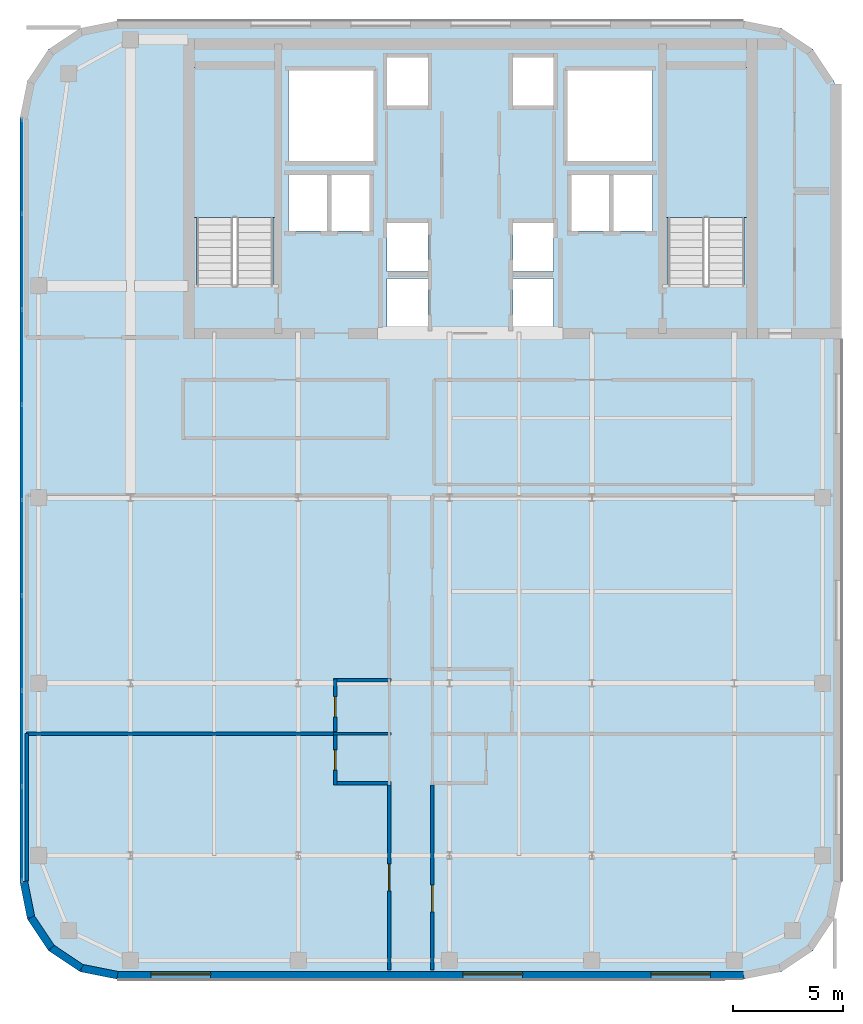
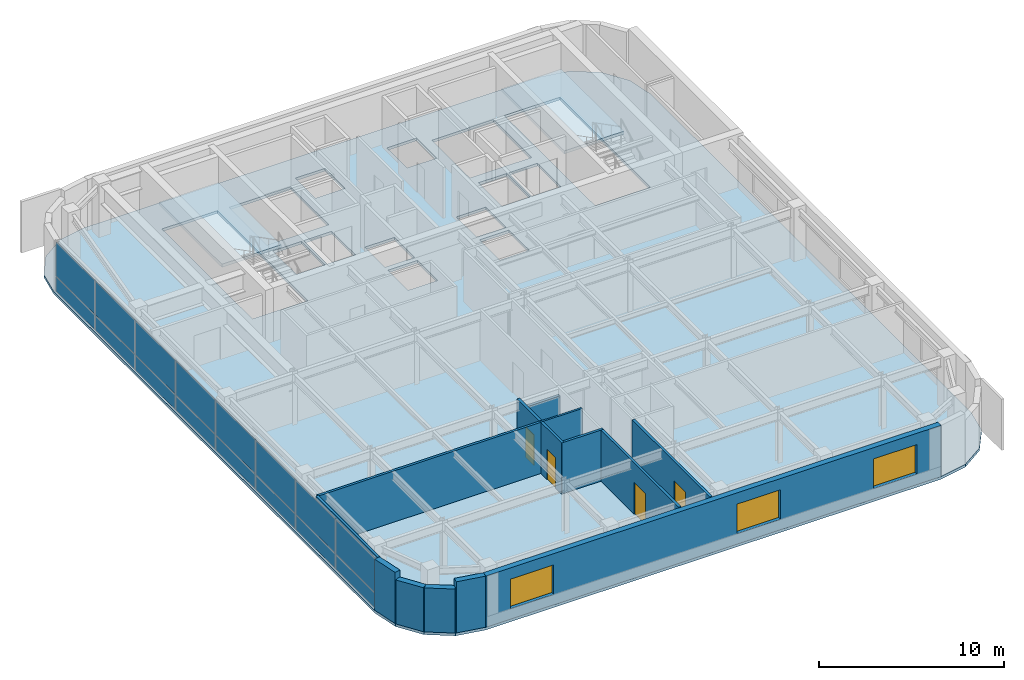
# One storey, part 14 of 21: 16 plates, 14 walls, 4 doors, 3 slabs, 3 windows, 7 openings, 3 elements without a shape of their own.
"""IFC4 building model written with IfcOpenShell, lengths in metres."""

from ifc_helpers import new_model, si_unit, direction, frame, frame_2d, origin, origin_2d, place, context, subcontext, project, spatial, polyline, rectangle, outline, extrude, source, transform, mapped, material, layer, layer_set, type_object, type_shapes, element, fill, aggregate, save


model = new_model("IFC4")

# Units and contexts
model_context = context("Model", 3, precision=1e-05, world=origin(), true_north=direction((0.0, 1.0)))
body_context = subcontext(model_context, "Body", "Model", "MODEL_VIEW")
ifc_project = project(units=[si_unit("LENGTHUNIT", "METRE"), si_unit("AREAUNIT", "SQUARE_METRE"), si_unit("VOLUMEUNIT", "CUBIC_METRE"), si_unit("PLANEANGLEUNIT", "RADIAN"), si_unit("MASSUNIT", "GRAM", prefix="KILO")], contexts=[model_context])

# Site, building, storey
site_placement = place(None, origin())
site = spatial("IfcSite", under=ifc_project, at=site_placement, CompositionType="ELEMENT")
building_placement = place(site_placement, origin())
building = spatial("IfcBuilding", under=site, at=building_placement, Name="Tolvann Quenvar Hotel", CompositionType="ELEMENT")
storey_placement = place(building_placement, frame((0.0, 0.0, 227.449951171875)))
storey = spatial("IfcBuildingStorey", under=building, at=storey_placement, Name="L60", CompositionType="ELEMENT", Elevation=227.449951171875)

# Stair, slab
ifc_material_1 = material(Name="Concrete N40 (40 MPa)", Category="concrete")
stair_type = type_object("IfcStairType", Name="STAIR", PredefinedType="HALF_TURN_STAIR", material=ifc_material_1)
stair_1_placement = place(storey_placement, origin())
stair_1 = element("IfcStair", 1, at=stair_1_placement, inside=storey, type_object=stair_type, Name="L60 ST-C1", PredefinedType="HALF_TURN_STAIR")
ifc_layer_1 = layer(ifc_material_1, 0.199951171875)
ifc_layer_set_1 = layer_set([ifc_layer_1], Name="Concrete N40 (40 MPa)")
slab_type_1 = type_object("IfcSlabType", Name="SLAB_LANDING", PredefinedType="LANDING", material=ifc_layer_set_1)
slab_1_placement = place(storey_placement, frame((0.0, 0.0, 1.574951171875)))
slab_1 = element("IfcSlab", 2, at=slab_1_placement, type_object=slab_type_1, Name="ST-C1 landing 1", PredefinedType="LANDING", context=body_context, shape_type="SweptSolid", body=[
    extrude(outline(polyline([(14.179931640625, 37.10498046875), (14.179931640625, 43.8798828125), (10.469970703125, 43.8798828125), (10.469970703125, 37.10498046875), (14.179931640625, 37.10498046875)])), origin(), (0.0, 0.0, 1.0), 0.2001953125),
])
aggregate(stair_1, [slab_1])

stair_2_placement = place(storey_placement, origin())
stair_2 = element("IfcStair", 3, at=stair_2_placement, inside=storey, type_object=stair_type, Name="L60 ST-C2", PredefinedType="HALF_TURN_STAIR")
slab_2_placement = place(storey_placement, frame((0.0, 0.0, 1.574951171875)))
slab_2 = element("IfcSlab", 4, at=slab_2_placement, type_object=slab_type_1, Name="ST-C2 landing 1", PredefinedType="LANDING", context=body_context, shape_type="SweptSolid", body=[
    extrude(outline(polyline([(35.530029296875, 37.10498046875), (35.530029296875, 43.8798828125), (31.820068359375, 43.8798828125), (31.820068359375, 37.10498046875), (35.530029296875, 37.10498046875)])), origin(), (0.0, 0.0, 1.0), 0.2001953125),
])
aggregate(stair_2, [slab_2])

# Slab
ifc_layer_2 = layer(ifc_material_1, 0.179931640625)
ifc_layer_set_2 = layer_set([ifc_layer_2], Name="Concrete N40 (40 MPa)")
slab_type_2 = type_object("IfcSlabType", Name="SLAB_TWR_180", PredefinedType="FLOOR", material=ifc_layer_set_2)
slab_3_placement = place(storey_placement, frame((0.0, 0.0, -0.179931640625)))
element("IfcSlab", 5, at=slab_3_placement, inside=storey, type_object=slab_type_2, Name="Level L60 Structural Floor Slab", PredefinedType="FLOOR", context=body_context, shape_type="SweptSolid", body=[
    extrude(outline(polyline([(2.60009765625, 7.0), (2.934814453125, 5.316162109375), (3.888671875, 3.888671875), (5.316162109375, 2.934814453125), (7.0, 2.60009765625), (35.39990234375, 2.60009765625), (37.083740234375, 2.934814453125), (38.51123046875, 3.888671875), (39.465087890625, 5.316162109375), (39.800048828125, 7.0), (39.800048828125, 41.60009765625), (39.465087890625, 43.28369140625), (38.51123046875, 44.711181640625), (37.083740234375, 45.6650390625), (35.39990234375, 46.0), (7.0, 46.0), (5.316162109375, 45.6650390625), (3.888671875, 44.711181640625), (2.934814453125, 43.28369140625), (2.60009765625, 41.60009765625), (2.60009765625, 7.0)]), holes=[polyline([(31.949951171875, 34.02490234375), (31.949951171875, 43.800048828125), (35.39990234375, 43.800048828125), (35.39990234375, 34.02490234375), (31.949951171875, 34.02490234375)]), polyline([(27.39990234375, 43.75), (31.25, 43.75), (31.25, 39.64990234375), (27.39990234375, 39.64990234375), (27.39990234375, 43.75)]), polyline([(29.449951171875, 39.02001953125), (31.25, 39.02001953125), (31.25, 36.47998046875), (29.449951171875, 36.47998046875), (29.449951171875, 39.02001953125)]), polyline([(27.574951171875, 39.02001953125), (29.324951171875, 39.02001953125), (29.324951171875, 36.47998046875), (27.574951171875, 36.47998046875), (27.574951171875, 39.02001953125)]), polyline([(24.929931640625, 36.840087890625), (26.77001953125, 36.840087890625), (26.77001953125, 34.659912109375), (24.929931640625, 34.659912109375), (24.929931640625, 36.840087890625)]), polyline([(24.929931640625, 44.340087890625), (26.77001953125, 44.340087890625), (26.77001953125, 42.159912109375), (24.929931640625, 42.159912109375), (24.929931640625, 44.340087890625)]), polyline([(24.929931640625, 32.159912109375), (24.929931640625, 34.340087890625), (26.77001953125, 34.340087890625), (26.77001953125, 32.159912109375), (24.929931640625, 32.159912109375)]), polyline([(19.22998046875, 36.840087890625), (21.070068359375, 36.840087890625), (21.070068359375, 34.659912109375), (19.22998046875, 34.659912109375), (19.22998046875, 36.840087890625)]), polyline([(19.22998046875, 44.340087890625), (21.070068359375, 44.340087890625), (21.070068359375, 42.159912109375), (19.22998046875, 42.159912109375), (19.22998046875, 44.340087890625)]), polyline([(19.22998046875, 32.159912109375), (19.22998046875, 34.340087890625), (21.070068359375, 34.340087890625), (21.070068359375, 32.159912109375), (19.22998046875, 32.159912109375)]), polyline([(14.75, 43.75), (18.60009765625, 43.75), (18.60009765625, 39.64990234375), (14.75, 39.64990234375), (14.75, 43.75)]), polyline([(16.675048828125, 39.02001953125), (18.425048828125, 39.02001953125), (18.425048828125, 36.47998046875), (16.675048828125, 36.47998046875), (16.675048828125, 39.02001953125)]), polyline([(14.75, 39.02001953125), (16.550048828125, 39.02001953125), (16.550048828125, 36.47998046875), (14.75, 36.47998046875), (14.75, 39.02001953125)]), polyline([(10.60009765625, 34.02490234375), (10.60009765625, 43.800048828125), (14.050048828125, 43.800048828125), (14.050048828125, 34.02490234375), (10.60009765625, 34.02490234375)])]), origin(), (0.0, 0.0, 1.0), 0.179931640625),
])

# Curtain wall, plates
ifc_material_2 = material(Name="Thermally broken anodised architectural aluminium 6063-T6 and laminated low-E glass", Category="aluminium")
ifc_layer_3 = layer(ifc_material_2, 0.179931640625)
ifc_layer_set_3 = layer_set([ifc_layer_3], Name="Thermally broken anodised architectural aluminium 6063-T6 and laminated low-E glass")
curtain_wall_type = type_object("IfcCurtainWallType", Name="CW_SYS_BAND_04", PredefinedType="USERDEFINED", material=ifc_layer_set_3)
curtain_wall_placement = place(storey_placement, origin())
curtain_wall = element("IfcCurtainWall", 6, at=curtain_wall_placement, inside=storey, type_object=curtain_wall_type, Name="Curtain Wall CW-BAND-04 (CWR-L60-E19)", ObjectType="UNITISED CURTAIN WALL", PredefinedType="USERDEFINED")
ifc_material_3 = material(Name="Low-iron laminated double glazing with solar-control coating", Category="glass")
ifc_layer_4 = layer(ifc_material_3, 0.028076171875)
ifc_layer_set_4 = layer_set([ifc_layer_4], Name="Low-iron laminated double glazing with solar-control coating")
plate_type = type_object("IfcPlateType", Name="CW_PAN_VISION_28", PredefinedType="CURTAIN_PANEL", material=ifc_layer_set_4)
shared_shape_1 = source(origin(), body_context, "Body", "SweptSolid", [
    extrude(rectangle(XDim=4.2158203125, YDim=0.028076171875, at=origin_2d()), origin(), (0.0, 0.0, 1.0), 0.9599609375),
])
plate_1_placement = place(storey_placement, frame((2.68994140625, 39.405029296875, 0.06005859375), z_axis=(0.0, 0.0, 1.0), x_axis=(0.0, -1.0, 0.0)))
plate_1 = element("IfcPlate", 7, at=plate_1_placement, type_object=plate_type, Name="CW-BAND-04 panel 1.1", PredefinedType="CURTAIN_PANEL", context=body_context, shape_type="MappedRepresentation", body=[
    mapped(shared_shape_1, transform((0.0, 0.0, 0.0), x_axis=(1.0, 0.0, 0.0), y_axis=(0.0, 1.0, 0.0), z_axis=(0.0, 0.0, 1.0), scale=1.0)),
])
plate_2_placement = place(storey_placement, frame((2.68994140625, 9.195068359375, 0.06005859375), z_axis=(0.0, 0.0, 1.0), x_axis=(0.0, -1.0, 0.0)))
plate_2 = element("IfcPlate", 8, at=plate_2_placement, type_object=plate_type, Name="CW-BAND-04 panel 8.1", PredefinedType="CURTAIN_PANEL", context=body_context, shape_type="MappedRepresentation", body=[
    mapped(shared_shape_1, transform((0.0, 0.0, 0.0), x_axis=(1.0, 0.0, 0.0), y_axis=(0.0, 1.0, 0.0), z_axis=(0.0, 0.0, 1.0), scale=1.0)),
])
shared_shape_2 = source(origin(), body_context, "Body", "SweptSolid", [
    extrude(rectangle(XDim=4.2158203125, YDim=0.028076171875, at=origin_2d()), origin(), (0.0, 0.0, 1.0), 2.22998046875),
])
plate_3_placement = place(storey_placement, frame((2.68994140625, 39.405029296875, 1.080078125), z_axis=(0.0, 0.0, 1.0), x_axis=(0.0, -1.0, 0.0)))
plate_3 = element("IfcPlate", 9, at=plate_3_placement, type_object=plate_type, Name="CW-BAND-04 panel 1.2", PredefinedType="CURTAIN_PANEL", context=body_context, shape_type="MappedRepresentation", body=[
    mapped(shared_shape_2, transform((0.0, 0.0, 0.0), x_axis=(1.0, 0.0, 0.0), y_axis=(0.0, 1.0, 0.0), z_axis=(0.0, 0.0, 1.0), scale=1.0)),
])
plate_4_placement = place(storey_placement, frame((2.68994140625, 9.195068359375, 1.080078125), z_axis=(0.0, 0.0, 1.0), x_axis=(0.0, -1.0, 0.0)))
plate_4 = element("IfcPlate", 10, at=plate_4_placement, type_object=plate_type, Name="CW-BAND-04 panel 8.2", PredefinedType="CURTAIN_PANEL", context=body_context, shape_type="MappedRepresentation", body=[
    mapped(shared_shape_2, transform((0.0, 0.0, 0.0), x_axis=(1.0, 0.0, 0.0), y_axis=(0.0, 1.0, 0.0), z_axis=(0.0, 0.0, 1.0), scale=1.0)),
])
shared_shape_3 = source(origin(), body_context, "Body", "SweptSolid", [
    extrude(rectangle(XDim=4.250732421875, YDim=0.028076171875, at=origin_2d()), origin(), (0.0, 0.0, 1.0), 0.9599609375),
])
plate_5_placement = place(storey_placement, frame((2.68994140625, 35.101806640625, 0.06005859375), z_axis=(0.0, 0.0, 1.0), x_axis=(0.0, -1.0, 0.0)))
plate_5 = element("IfcPlate", 11, at=plate_5_placement, type_object=plate_type, Name="CW-BAND-04 panel 2.1", PredefinedType="CURTAIN_PANEL", context=body_context, shape_type="MappedRepresentation", body=[
    mapped(shared_shape_3, transform((0.0, 0.0, 0.0), x_axis=(1.0, 0.0, 0.0), y_axis=(0.0, 1.0, 0.0), z_axis=(0.0, 0.0, 1.0), scale=1.0)),
])
plate_6_placement = place(storey_placement, frame((2.68994140625, 30.781005859375, 0.06005859375), z_axis=(0.0, 0.0, 1.0), x_axis=(0.0, -1.0, 0.0)))
plate_6 = element("IfcPlate", 12, at=plate_6_placement, type_object=plate_type, Name="CW-BAND-04 panel 3.1", PredefinedType="CURTAIN_PANEL", context=body_context, shape_type="MappedRepresentation", body=[
    mapped(shared_shape_3, transform((0.0, 0.0, 0.0), x_axis=(1.0, 0.0, 0.0), y_axis=(0.0, 1.0, 0.0), z_axis=(0.0, 0.0, 1.0), scale=1.0)),
])
plate_7_placement = place(storey_placement, frame((2.68994140625, 26.46044921875, 0.06005859375), z_axis=(0.0, 0.0, 1.0), x_axis=(0.0, -1.0, 0.0)))
plate_7 = element("IfcPlate", 13, at=plate_7_placement, type_object=plate_type, Name="CW-BAND-04 panel 4.1", PredefinedType="CURTAIN_PANEL", context=body_context, shape_type="MappedRepresentation", body=[
    mapped(shared_shape_3, transform((0.0, 0.0, 0.0), x_axis=(1.0, 0.0, 0.0), y_axis=(0.0, 1.0, 0.0), z_axis=(0.0, 0.0, 1.0), scale=1.0)),
])
plate_8_placement = place(storey_placement, frame((2.68994140625, 22.1396484375, 0.06005859375), z_axis=(0.0, 0.0, 1.0), x_axis=(0.0, -1.0, 0.0)))
plate_8 = element("IfcPlate", 14, at=plate_8_placement, type_object=plate_type, Name="CW-BAND-04 panel 5.1", PredefinedType="CURTAIN_PANEL", context=body_context, shape_type="MappedRepresentation", body=[
    mapped(shared_shape_3, transform((0.0, 0.0, 0.0), x_axis=(1.0, 0.0, 0.0), y_axis=(0.0, 1.0, 0.0), z_axis=(0.0, 0.0, 1.0), scale=1.0)),
])
plate_9_placement = place(storey_placement, frame((2.68994140625, 17.81884765625, 0.06005859375), z_axis=(0.0, 0.0, 1.0), x_axis=(0.0, -1.0, 0.0)))
plate_9 = element("IfcPlate", 15, at=plate_9_placement, type_object=plate_type, Name="CW-BAND-04 panel 6.1", PredefinedType="CURTAIN_PANEL", context=body_context, shape_type="MappedRepresentation", body=[
    mapped(shared_shape_3, transform((0.0, 0.0, 0.0), x_axis=(1.0, 0.0, 0.0), y_axis=(0.0, 1.0, 0.0), z_axis=(0.0, 0.0, 1.0), scale=1.0)),
])
plate_10_placement = place(storey_placement, frame((2.68994140625, 13.498291015625, 0.06005859375), z_axis=(0.0, 0.0, 1.0), x_axis=(0.0, -1.0, 0.0)))
plate_10 = element("IfcPlate", 16, at=plate_10_placement, type_object=plate_type, Name="CW-BAND-04 panel 7.1", PredefinedType="CURTAIN_PANEL", context=body_context, shape_type="MappedRepresentation", body=[
    mapped(shared_shape_3, transform((0.0, 0.0, 0.0), x_axis=(1.0, 0.0, 0.0), y_axis=(0.0, 1.0, 0.0), z_axis=(0.0, 0.0, 1.0), scale=1.0)),
])
shared_shape_4 = source(origin(), body_context, "Body", "SweptSolid", [
    extrude(rectangle(XDim=4.250732421875, YDim=0.028076171875, at=origin_2d()), origin(), (0.0, 0.0, 1.0), 2.22998046875),
])
type_shapes(plate_type, [shared_shape_1, shared_shape_2, shared_shape_3, shared_shape_4])
plate_11_placement = place(storey_placement, frame((2.68994140625, 35.101806640625, 1.080078125), z_axis=(0.0, 0.0, 1.0), x_axis=(0.0, -1.0, 0.0)))
plate_11 = element("IfcPlate", 17, at=plate_11_placement, type_object=plate_type, Name="CW-BAND-04 panel 2.2", PredefinedType="CURTAIN_PANEL", context=body_context, shape_type="MappedRepresentation", body=[
    mapped(shared_shape_4, transform((0.0, 0.0, 0.0), x_axis=(1.0, 0.0, 0.0), y_axis=(0.0, 1.0, 0.0), z_axis=(0.0, 0.0, 1.0), scale=1.0)),
])
plate_12_placement = place(storey_placement, frame((2.68994140625, 30.781005859375, 1.080078125), z_axis=(0.0, 0.0, 1.0), x_axis=(0.0, -1.0, 0.0)))
plate_12 = element("IfcPlate", 18, at=plate_12_placement, type_object=plate_type, Name="CW-BAND-04 panel 3.2", PredefinedType="CURTAIN_PANEL", context=body_context, shape_type="MappedRepresentation", body=[
    mapped(shared_shape_4, transform((0.0, 0.0, 0.0), x_axis=(1.0, 0.0, 0.0), y_axis=(0.0, 1.0, 0.0), z_axis=(0.0, 0.0, 1.0), scale=1.0)),
])
plate_13_placement = place(storey_placement, frame((2.68994140625, 26.46044921875, 1.080078125), z_axis=(0.0, 0.0, 1.0), x_axis=(0.0, -1.0, 0.0)))
plate_13 = element("IfcPlate", 19, at=plate_13_placement, type_object=plate_type, Name="CW-BAND-04 panel 4.2", PredefinedType="CURTAIN_PANEL", context=body_context, shape_type="MappedRepresentation", body=[
    mapped(shared_shape_4, transform((0.0, 0.0, 0.0), x_axis=(1.0, 0.0, 0.0), y_axis=(0.0, 1.0, 0.0), z_axis=(0.0, 0.0, 1.0), scale=1.0)),
])
plate_14_placement = place(storey_placement, frame((2.68994140625, 22.1396484375, 1.080078125), z_axis=(0.0, 0.0, 1.0), x_axis=(0.0, -1.0, 0.0)))
plate_14 = element("IfcPlate", 20, at=plate_14_placement, type_object=plate_type, Name="CW-BAND-04 panel 5.2", PredefinedType="CURTAIN_PANEL", context=body_context, shape_type="MappedRepresentation", body=[
    mapped(shared_shape_4, transform((0.0, 0.0, 0.0), x_axis=(1.0, 0.0, 0.0), y_axis=(0.0, 1.0, 0.0), z_axis=(0.0, 0.0, 1.0), scale=1.0)),
])
plate_15_placement = place(storey_placement, frame((2.68994140625, 17.81884765625, 1.080078125), z_axis=(0.0, 0.0, 1.0), x_axis=(0.0, -1.0, 0.0)))
plate_15 = element("IfcPlate", 21, at=plate_15_placement, type_object=plate_type, Name="CW-BAND-04 panel 6.2", PredefinedType="CURTAIN_PANEL", context=body_context, shape_type="MappedRepresentation", body=[
    mapped(shared_shape_4, transform((0.0, 0.0, 0.0), x_axis=(1.0, 0.0, 0.0), y_axis=(0.0, 1.0, 0.0), z_axis=(0.0, 0.0, 1.0), scale=1.0)),
])
plate_16_placement = place(storey_placement, frame((2.68994140625, 13.498291015625, 1.080078125), z_axis=(0.0, 0.0, 1.0), x_axis=(0.0, -1.0, 0.0)))
plate_16 = element("IfcPlate", 22, at=plate_16_placement, type_object=plate_type, Name="CW-BAND-04 panel 7.2", PredefinedType="CURTAIN_PANEL", context=body_context, shape_type="MappedRepresentation", body=[
    mapped(shared_shape_4, transform((0.0, 0.0, 0.0), x_axis=(1.0, 0.0, 0.0), y_axis=(0.0, 1.0, 0.0), z_axis=(0.0, 0.0, 1.0), scale=1.0)),
])
aggregate(curtain_wall, [plate_1, plate_3, plate_5, plate_11, plate_6, plate_12, plate_7, plate_13, plate_8, plate_14, plate_9, plate_15, plate_10, plate_16, plate_2, plate_4])

# Walls
ifc_material_4 = material(Name="Kiln-fired red and buff architectural clay brickwork and terracotta masonry", Category="masonry")
ifc_layer_5 = layer(ifc_material_4, 0.35009765625)
ifc_layer_set_5 = layer_set([ifc_layer_5], Name="Kiln-fired red and buff architectural clay brickwork and terracotta masonry")
wall_type_1 = type_object("IfcWallType", Name="WALL_EXT_BRICK_350", PredefinedType="SOLIDWALL", material=ifc_layer_set_5)
for number, where, z_axis, x_axis, name in (
    (23, (3.099609375, 5.384521484375, 0.0), (0.0, 0.0, 1.0), (0.555623290322, -0.831434158098, 0.0), "Exterior Chicago Brick Wall L60-E01"),
    (24, (4.014892578125, 4.014892578125, 0.0), (0.0, 0.0, 1.0), (0.831434158098, -0.555623290322, 0.0), "Exterior Chicago Brick Wall L60-E02"),
):
    element("IfcWall", number, at=place(storey_placement, frame(where, z_axis=z_axis, x_axis=x_axis)), inside=storey, type_object=wall_type_1, Name=name, PredefinedType="SOLIDWALL", context=body_context, shape_type="SweptSolid", body=[
        extrude(rectangle(XDim=1.647216796875, YDim=0.35009765625, at=frame_2d((0.82373046875, 0.0))), origin(), (0.0, 0.0, 1.0), 2.900146484375),
    ])
wall_1_placement = place(storey_placement, frame((5.384521484375, 3.099609375, 0.0), z_axis=(0.0, 0.0, 1.0), x_axis=(0.980788844421, -0.195072403631, 0.0)))
element("IfcWall", 25, at=wall_1_placement, inside=storey, type_object=wall_type_1, Name="Exterior Chicago Brick Wall L60-E03", PredefinedType="SOLIDWALL", context=body_context, shape_type="SweptSolid", body=[
    extrude(rectangle(XDim=1.66455078125, YDim=0.35009765625, at=frame_2d((0.832275390625, 0.0))), origin(), (0.0, 0.0, 1.0), 3.3701171875),
])

# Wall, openings, windows
wall_2_placement = place(storey_placement, frame((7.01708984375, 2.77490234375, 0.0), z_axis=(0.0, 0.0, 1.0), x_axis=(1.0, 0.0, 0.0)))
wall_2 = element("IfcWall", 26, at=wall_2_placement, inside=storey, type_object=wall_type_1, Name="Exterior Chicago Brick Wall L60-E04", PredefinedType="SOLIDWALL", context=body_context, shape_type="SweptSolid", body=[
    extrude(rectangle(XDim=28.36572265625, YDim=0.35009765625, at=frame_2d((14.182861328125, 0.0))), origin(), (0.0, 0.0, 1.0), 3.3701171875),
])
opening_1_placement = place(wall_2_placement, frame((1.513916015625, 0.0, 0.679931640625)))
opening_1 = element("IfcOpeningElement", 27, at=opening_1_placement, cuts=wall_2, Name="Opening W-04", PredefinedType="OPENING", context=body_context, shape_type="SweptSolid", body=[
    extrude(rectangle(XDim=2.699951171875, YDim=1.949951171875, at=frame_2d((1.35009765625, 0.97509765625))), frame((0.0, 0.18505859375, 0.0), z_axis=(0.0, -1.0, 0.0), x_axis=(1.0, 0.0, 0.0)), (0.0, 0.0, 1.0), 0.3701171875),
])
opening_2_placement = place(wall_2_placement, frame((15.64697265625, 0.0, 0.679931640625)))
opening_2 = element("IfcOpeningElement", 28, at=opening_2_placement, cuts=wall_2, Name="Opening W-04", PredefinedType="OPENING", context=body_context, shape_type="SweptSolid", body=[
    extrude(rectangle(XDim=2.699951171875, YDim=1.949951171875, at=frame_2d((1.35009765625, 0.97509765625))), frame((0.0, 0.18505859375, 0.0), z_axis=(0.0, -1.0, 0.0), x_axis=(1.0, 0.0, 0.0)), (0.0, 0.0, 1.0), 0.3701171875),
])
opening_3_placement = place(wall_2_placement, frame((24.152099609375, 0.0, 0.679931640625)))
opening_3 = element("IfcOpeningElement", 29, at=opening_3_placement, cuts=wall_2, Name="Opening W-04", PredefinedType="OPENING", context=body_context, shape_type="SweptSolid", body=[
    extrude(rectangle(XDim=2.699951171875, YDim=1.949951171875, at=frame_2d((1.35009765625, 0.97509765625))), frame((0.0, 0.18505859375, 0.0), z_axis=(0.0, -1.0, 0.0), x_axis=(1.0, 0.0, 0.0)), (0.0, 0.0, 1.0), 0.3701171875),
])
ifc_material_5 = material(Name="Thermally broken bronze-anodised aluminium frame with double low-E glazing", Category="aluminium")
window_type = type_object("IfcWindowType", Name="WIN_STE_2700x2150", PartitioningType="TRIPLE_PANEL_HORIZONTAL", PredefinedType="WINDOW", material=ifc_material_5)
shared_shape_5 = source(origin(), body_context, "Body", "SweptSolid", [
    extrude(rectangle(XDim=2.699951171875, YDim=1.949951171875, at=frame_2d((1.35009765625, 0.97509765625))), frame((0.0, 0.090087890625, 0.0), z_axis=(0.0, -1.0, 0.0), x_axis=(1.0, 0.0, 0.0)), (0.0, 0.0, 1.0), 0.06005859375),
])
type_shapes(window_type, [shared_shape_5])
window_1_placement = place(opening_1_placement, origin())
window_1 = element("IfcWindow", 30, at=window_1_placement, inside=storey, type_object=window_type, Name="Chicago Window W-04 (EW-L60-E04-W01)", OverallHeight=1.949951171875, OverallWidth=2.699951171875, PartitioningType="TRIPLE_PANEL_HORIZONTAL", PredefinedType="WINDOW", context=body_context, shape_type="MappedRepresentation", body=[
    mapped(shared_shape_5, transform((0.0, 0.0, 0.0), x_axis=(1.0, 0.0, 0.0), y_axis=(0.0, 1.0, 0.0), z_axis=(0.0, 0.0, 1.0), scale=1.0)),
])
fill(opening_1, window_1)
window_2_placement = place(opening_2_placement, origin())
window_2 = element("IfcWindow", 31, at=window_2_placement, inside=storey, type_object=window_type, Name="Chicago Window W-04 (EW-L60-E04-W02)", OverallHeight=1.949951171875, OverallWidth=2.699951171875, PartitioningType="TRIPLE_PANEL_HORIZONTAL", PredefinedType="WINDOW", context=body_context, shape_type="MappedRepresentation", body=[
    mapped(shared_shape_5, transform((0.0, 0.0, 0.0), x_axis=(1.0, 0.0, 0.0), y_axis=(0.0, 1.0, 0.0), z_axis=(0.0, 0.0, 1.0), scale=1.0)),
])
fill(opening_2, window_2)
window_3_placement = place(opening_3_placement, origin())
window_3 = element("IfcWindow", 32, at=window_3_placement, inside=storey, type_object=window_type, Name="Chicago Window W-04 (EW-L60-E04-W03)", OverallHeight=1.949951171875, OverallWidth=2.699951171875, PartitioningType="TRIPLE_PANEL_HORIZONTAL", PredefinedType="WINDOW", context=body_context, shape_type="MappedRepresentation", body=[
    mapped(shared_shape_5, transform((0.0, 0.0, 0.0), x_axis=(1.0, 0.0, 0.0), y_axis=(0.0, 1.0, 0.0), z_axis=(0.0, 0.0, 1.0), scale=1.0)),
])
fill(opening_3, window_3)

# Walls
wall_3_placement = place(storey_placement, frame((2.77490234375, 7.01708984375, 0.0), z_axis=(0.0, 0.0, 1.0), x_axis=(0.195072403631, -0.980788844421, 0.0)))
element("IfcWall", 33, at=wall_3_placement, inside=storey, type_object=wall_type_1, Name="Exterior Chicago Brick Wall L60-E20", PredefinedType="SOLIDWALL", context=body_context, shape_type="SweptSolid", body=[
    extrude(rectangle(XDim=1.66455078125, YDim=0.35009765625, at=frame_2d((0.832275390625, 0.0))), origin(), (0.0, 0.0, 1.0), 3.3701171875),
])
ifc_material_6 = material(Name="Moisture-resistant acoustic plumbing wall assembly")
ifc_layer_6 = layer(ifc_material_6, 0.1201171875)
ifc_layer_set_6 = layer_set([ifc_layer_6], Name="Moisture-resistant acoustic plumbing wall assembly")
wall_type_2 = type_object("IfcWallType", Name="WALL_PART_BATH_120", PredefinedType="PLUMBINGWALL", material=ifc_layer_set_6)
wall_4_placement = place(storey_placement, frame((16.81005859375, 13.719970703125, 0.0), z_axis=(0.0, 0.0, 1.0), x_axis=(1.0, 0.0, 0.0)))
element("IfcWall", 34, at=wall_4_placement, inside=storey, type_object=wall_type_2, Name="Non-Rated Plumbing Partition PT-SPC-L60-ENS-WO01-N", PredefinedType="PLUMBINGWALL", context=body_context, shape_type="SweptSolid", body=[
    extrude(rectangle(XDim=2.58984375, YDim=0.1201171875, at=frame_2d((1.294921875, 0.0))), origin(), (0.0, 0.0, 1.0), 3.3701171875),
])

# Wall, opening, door
ifc_material_7 = material(Name="Acoustic twin-stud fire-rated gypsum plasterboard partition")
ifc_layer_7 = layer(ifc_material_7, 0.14990234375)
ifc_layer_set_7 = layer_set([ifc_layer_7], Name="Acoustic twin-stud fire-rated gypsum plasterboard partition")
wall_type_3 = type_object("IfcWallType", Name="WALL_PART_SUITE_150", PredefinedType="PARTITIONING", material=ifc_layer_set_7)
wall_5_placement = place(storey_placement, frame((16.8798828125, 11.39990234375, 0.0), z_axis=(0.0, 0.0, 1.0), x_axis=(0.0, 1.0, 0.0)))
wall_5 = element("IfcWall", 35, at=wall_5_placement, inside=storey, type_object=wall_type_3, Name="Interior Partition PT-SPC-L60-ENS-WO01-ENT", PredefinedType="PARTITIONING", context=body_context, shape_type="SweptSolid", body=[
    extrude(rectangle(XDim=2.39013671875, YDim=0.14990234375, at=frame_2d((1.195068359375, 0.0))), origin(), (0.0, 0.0, 1.0), 3.3701171875),
])
opening_4_placement = place(wall_5_placement, frame((0.6650390625, 0.0, 0.0)))
opening_4 = element("IfcOpeningElement", 36, at=opening_4_placement, cuts=wall_5, Name="Opening WD-01", PredefinedType="OPENING", context=body_context, shape_type="SweptSolid", body=[
    extrude(rectangle(XDim=0.919921875, YDim=2.010009765625, at=frame_2d((0.4599609375, 1.0048828125))), frame((0.0, 0.0849609375, 0.0), z_axis=(0.0, -1.0, 0.0), x_axis=(1.0, 0.0, 0.0)), (0.0, 0.0, 1.0), 0.169921875),
])
ifc_material_8 = material(Name="Solid-core American oak acoustic fire door leaf in steel frame", Category="steel")
door_type_1 = type_object("IfcDoorType", Name="DOOR_WC_920", OperationType="NOTDEFINED", PredefinedType="DOOR", material=ifc_material_8)
shared_shape_6 = source(origin(), body_context, "Body", "SweptSolid", [
    extrude(rectangle(XDim=0.919921875, YDim=2.010009765625, at=frame_2d((0.4599609375, 1.0048828125))), frame((0.0, 0.02490234375, 0.0), z_axis=(0.0, -1.0, 0.0), x_axis=(1.0, 0.0, 0.0)), (0.0, 0.0, 1.0), 0.050048828125),
])
type_shapes(door_type_1, [shared_shape_6])
door_1_placement = place(opening_4_placement, origin())
door_1 = element("IfcDoor", 37, at=door_1_placement, inside=storey, type_object=door_type_1, Name="Interior Door DOOR-SPC-L60-ENS-WO01", OperationType="SINGLE_SWING_RIGHT", OverallHeight=2.010009765625, OverallWidth=0.919921875, PredefinedType="DOOR", context=body_context, shape_type="MappedRepresentation", body=[
    mapped(shared_shape_6, transform((0.0, 0.0, 0.0), x_axis=(1.0, 0.0, 0.0), y_axis=(0.0, 1.0, 0.0), z_axis=(0.0, 0.0, 1.0), scale=1.0)),
])
fill(opening_4, door_1)

# Wall
wall_6_placement = place(storey_placement, frame((16.81005859375, 11.469970703125, 0.0), z_axis=(0.0, 0.0, 1.0), x_axis=(1.0, 0.0, 0.0)))
element("IfcWall", 38, at=wall_6_placement, inside=storey, type_object=wall_type_3, Name="Interior Partition PT-SPC-L60-ENS-WO01-S", PredefinedType="PARTITIONING", context=body_context, shape_type="SweptSolid", body=[
    extrude(rectangle(XDim=2.58984375, YDim=0.14990234375, at=frame_2d((1.294921875, 0.0))), origin(), (0.0, 0.0, 1.0), 3.3701171875),
])

# Wall, opening, door
wall_7_placement = place(storey_placement, frame((16.8798828125, 13.81005859375, 0.0), z_axis=(0.0, 0.0, 1.0), x_axis=(0.0, 1.0, 0.0)))
wall_7 = element("IfcWall", 39, at=wall_7_placement, inside=storey, type_object=wall_type_3, Name="Interior Partition PT-SPC-L60-ENS-WO02-ENT", PredefinedType="PARTITIONING", context=body_context, shape_type="SweptSolid", body=[
    extrude(rectangle(XDim=2.389892578125, YDim=0.14990234375, at=frame_2d((1.19482421875, 0.0))), origin(), (0.0, 0.0, 1.0), 3.3701171875),
])
opening_5_placement = place(wall_7_placement, frame((0.6650390625, 0.0, 0.0)))
opening_5 = element("IfcOpeningElement", 40, at=opening_5_placement, cuts=wall_7, Name="Opening WD-01", PredefinedType="OPENING", context=body_context, shape_type="SweptSolid", body=[
    extrude(rectangle(XDim=0.919921875, YDim=2.010009765625, at=frame_2d((0.4599609375, 1.0048828125))), frame((0.0, 0.0849609375, 0.0), z_axis=(0.0, -1.0, 0.0), x_axis=(1.0, 0.0, 0.0)), (0.0, 0.0, 1.0), 0.169921875),
])
door_2_placement = place(opening_5_placement, origin())
door_2 = element("IfcDoor", 41, at=door_2_placement, inside=storey, type_object=door_type_1, Name="Interior Door DOOR-SPC-L60-ENS-WO02", OperationType="SINGLE_SWING_LEFT", OverallHeight=2.010009765625, OverallWidth=0.919921875, PredefinedType="DOOR", context=body_context, shape_type="MappedRepresentation", body=[
    mapped(shared_shape_6, transform((0.0, 0.0, 0.0), x_axis=(1.0, 0.0, 0.0), y_axis=(0.0, 1.0, 0.0), z_axis=(0.0, 0.0, 1.0), scale=1.0)),
])
fill(opening_5, door_2)

# Wall
wall_8_placement = place(storey_placement, frame((16.81005859375, 16.1298828125, 0.0), z_axis=(0.0, 0.0, 1.0), x_axis=(1.0, 0.0, 0.0)))
element("IfcWall", 42, at=wall_8_placement, inside=storey, type_object=wall_type_3, Name="Interior Partition PT-SPC-L60-ENS-WO02-N", PredefinedType="PARTITIONING", context=body_context, shape_type="SweptSolid", body=[
    extrude(rectangle(XDim=2.58984375, YDim=0.14990234375, at=frame_2d((1.294921875, 0.0))), origin(), (0.0, 0.0, 1.0), 2.758056640625),
])

# Wall, opening, door
wall_9_placement = place(storey_placement, frame((19.330078125, 3.0048828125, 0.0), z_axis=(0.0, 0.0, 1.0), x_axis=(0.0, 1.0, 0.0)))
wall_9 = element("IfcWall", 43, at=wall_9_placement, inside=storey, type_object=wall_type_3, Name="Interior Partition PT-SPC-L60-RM-WO01-ENT", PredefinedType="PARTITIONING", context=body_context, shape_type="SweptSolid", body=[
    extrude(rectangle(XDim=8.385009765625, YDim=0.14990234375, at=frame_2d((4.1923828125, 0.0))), origin(), (0.0, 0.0, 1.0), 3.3701171875),
])
opening_6_placement = place(wall_9_placement, frame((3.590087890625, 0.0, 0.0)))
opening_6 = element("IfcOpeningElement", 44, at=opening_6_placement, cuts=wall_9, Name="Opening SD-02", PredefinedType="OPENING", context=body_context, shape_type="SweptSolid", body=[
    extrude(rectangle(XDim=1.219970703125, YDim=2.080078125, at=frame_2d((0.60986328125, 1.0400390625))), frame((0.0, 0.0849609375, 0.0), z_axis=(0.0, -1.0, 0.0), x_axis=(1.0, 0.0, 0.0)), (0.0, 0.0, 1.0), 0.169921875),
])
door_type_2 = type_object("IfcDoorType", Name="DOOR_VIP_1220", OperationType="NOTDEFINED", PredefinedType="DOOR", material=ifc_material_8)
shared_shape_7 = source(origin(), body_context, "Body", "SweptSolid", [
    extrude(rectangle(XDim=1.219970703125, YDim=2.080078125, at=frame_2d((0.60986328125, 1.0400390625))), frame((0.0, 0.02490234375, 0.0), z_axis=(0.0, -1.0, 0.0), x_axis=(1.0, 0.0, 0.0)), (0.0, 0.0, 1.0), 0.050048828125),
])
type_shapes(door_type_2, [shared_shape_7])
door_3_placement = place(opening_6_placement, origin())
door_3 = element("IfcDoor", 45, at=door_3_placement, inside=storey, type_object=door_type_2, Name="Interior Door DOOR-SPC-L60-RM-WO01", OperationType="SINGLE_SWING_RIGHT", OverallHeight=2.080078125, OverallWidth=1.219970703125, PredefinedType="DOOR", context=body_context, shape_type="MappedRepresentation", body=[
    mapped(shared_shape_7, transform((0.0, 0.0, 0.0), x_axis=(1.0, 0.0, 0.0), y_axis=(0.0, 1.0, 0.0), z_axis=(0.0, 0.0, 1.0), scale=1.0)),
])
fill(opening_6, door_3)

# Walls
wall_10_placement = place(storey_placement, frame((2.89990234375, 13.719970703125, 0.0), z_axis=(0.0, 0.0, 1.0), x_axis=(1.0, 0.0, 0.0)))
element("IfcWall", 46, at=wall_10_placement, inside=storey, type_object=wall_type_3, Name="Interior Partition PT-SPC-L60-RM-WO01-E5", PredefinedType="PARTITIONING", context=body_context, shape_type="SweptSolid", body=[
    extrude(rectangle(XDim=13.960205078125, YDim=0.14990234375, at=frame_2d((6.97998046875, 0.0))), origin(), (0.0, 0.0, 1.0), 3.3701171875),
])
wall_11_placement = place(storey_placement, frame((2.89990234375, 7.0419921875, 0.0), z_axis=(0.0, 0.0, 1.0), x_axis=(0.0, 1.0, 0.0)))
element("IfcWall", 47, at=wall_11_placement, inside=storey, type_object=wall_type_3, Name="Interior Partition PT-SPC-L60-RM-WO01-E6", PredefinedType="PARTITIONING", context=body_context, shape_type="SweptSolid", body=[
    extrude(rectangle(XDim=6.677978515625, YDim=0.14990234375, at=frame_2d((3.3388671875, 0.0))), origin(), (0.0, 0.0, 1.0), 3.3701171875),
])

# Wall, opening, door
wall_12_placement = place(storey_placement, frame((21.27001953125, 3.0048828125, 0.0), z_axis=(0.0, 0.0, 1.0), x_axis=(0.0, 1.0, 0.0)))
wall_12 = element("IfcWall", 48, at=wall_12_placement, inside=storey, type_object=wall_type_3, Name="Interior Partition PT-SPC-L60-RM-EO01-ENT", PredefinedType="PARTITIONING", context=body_context, shape_type="SweptSolid", body=[
    extrude(rectangle(XDim=8.385009765625, YDim=0.14990234375, at=frame_2d((4.1923828125, 0.0))), origin(), (0.0, 0.0, 1.0), 3.3701171875),
])
opening_7_placement = place(wall_12_placement, frame((2.639892578125, 0.0, 0.0)))
opening_7 = element("IfcOpeningElement", 49, at=opening_7_placement, cuts=wall_12, Name="Opening SD-02", PredefinedType="OPENING", context=body_context, shape_type="SweptSolid", body=[
    extrude(rectangle(XDim=1.219970703125, YDim=2.080078125, at=frame_2d((0.60986328125, 1.0400390625))), frame((0.0, 0.0849609375, 0.0), z_axis=(0.0, -1.0, 0.0), x_axis=(1.0, 0.0, 0.0)), (0.0, 0.0, 1.0), 0.169921875),
])
door_4_placement = place(opening_7_placement, origin())
door_4 = element("IfcDoor", 50, at=door_4_placement, inside=storey, type_object=door_type_2, Name="Interior Door DOOR-SPC-L60-RM-EO01", OperationType="SINGLE_SWING_RIGHT", OverallHeight=2.080078125, OverallWidth=1.219970703125, PredefinedType="DOOR", context=body_context, shape_type="MappedRepresentation", body=[
    mapped(shared_shape_7, transform((0.0, 0.0, 0.0), x_axis=(1.0, 0.0, 0.0), y_axis=(0.0, 1.0, 0.0), z_axis=(0.0, 0.0, 1.0), scale=1.0)),
])
fill(opening_7, door_4)

save(model, "model.ifc")
